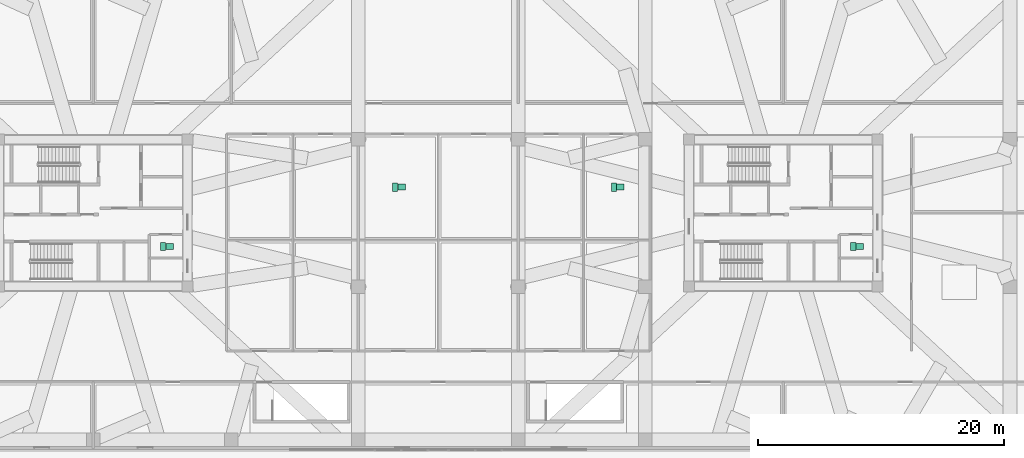
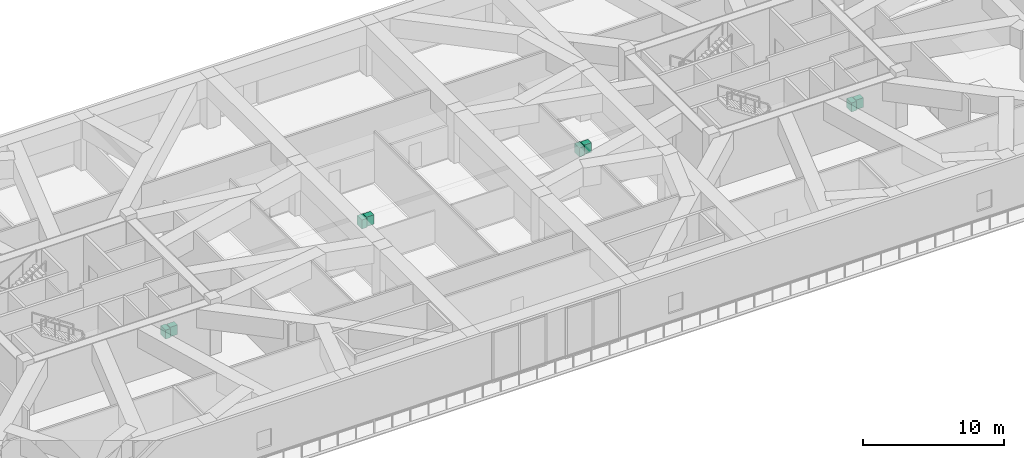
# One storey, part 21 of 21: 8 sanitary terminals.
"""IFC4 building model written with IfcOpenShell, lengths in metres."""

from ifc_helpers import new_model, si_unit, direction, frame, origin, origin_2d, place, context, subcontext, project, spatial, rectangle, extrude, source, transform, mapped, material, type_object, type_shapes, element, save


model = new_model("IFC4")

# Units and contexts
model_context = context("Model", 3, precision=1e-05, world=origin(), true_north=direction((0.0, 1.0)))
body_context = subcontext(model_context, "Body", "Model", "MODEL_VIEW")
ifc_project = project(units=[si_unit("LENGTHUNIT", "METRE"), si_unit("AREAUNIT", "SQUARE_METRE"), si_unit("VOLUMEUNIT", "CUBIC_METRE"), si_unit("PLANEANGLEUNIT", "RADIAN"), si_unit("MASSUNIT", "GRAM", prefix="KILO")], contexts=[model_context])

# Site, building, storey
site_placement = place(None, origin())
site = spatial("IfcSite", under=ifc_project, at=site_placement, CompositionType="ELEMENT")
building_placement = place(site_placement, origin())
building = spatial("IfcBuilding", under=site, at=building_placement, Name="Norrkilde Senior Care Towers", CompositionType="ELEMENT")
storey_placement = place(building_placement, frame((0.0, 0.0, 16.800048828125)))
storey = spatial("IfcBuildingStorey", under=building, at=storey_placement, Name="L04", CompositionType="ELEMENT", Elevation=16.800048828125)

# Sanitary terminals
ifc_material = material(Name="Porcelain Ceramic")
sanitary_terminal_type_1 = type_object("IfcSanitaryTerminalType", Name="Accessible Senior WC Suite", PredefinedType="TOILETPAN", material=ifc_material)
shared_shape_1 = source(origin(), body_context, "Body", "SweptSolid", [
    extrude(rectangle(XDim=0.419921875, YDim=0.679931640625, at=origin_2d()), origin(), (0.0, 0.0, 1.0), 0.780029296875),
])
type_shapes(sanitary_terminal_type_1, [shared_shape_1])
for number, where, z_axis, x_axis, name in (
    (1, (-22.324951171875, -2.715087890625, 0.0), (0.0, 0.0, 1.0), (1.0, 0.0, 0.0), "L04 Accessible WC Pan 0013"),
    (2, (33.675048828125, -2.715087890625, 0.0), (0.0, 0.0, 1.0), (1.0, 0.0, 0.0), "L04 Accessible WC Pan 0014"),
    (3, (-3.5, 2.10009765625, 0.0), (0.0, 0.0, 1.0), (1.0, 0.0, 0.0), "L04 Accessible WC Pan 0015"),
    (4, (14.25, 2.10009765625, 0.0), (0.0, 0.0, 1.0), (1.0, 0.0, 0.0), "L04 Accessible WC Pan 0016"),
):
    element("IfcSanitaryTerminal", number, at=place(storey_placement, frame(where, z_axis=z_axis, x_axis=x_axis)), inside=storey, type_object=sanitary_terminal_type_1, Name=name, PredefinedType="TOILETPAN", context=body_context, shape_type="MappedRepresentation", body=[
        mapped(shared_shape_1, transform((0.0, 0.0, 0.0), x_axis=(1.0, 0.0, 0.0), y_axis=(0.0, 1.0, 0.0), z_axis=(0.0, 0.0, 1.0), scale=1.0)),
    ])
sanitary_terminal_type_2 = type_object("IfcSanitaryTerminalType", Name="Thermostatic Care Washbasin", PredefinedType="WASHHANDBASIN", material=ifc_material)
shared_shape_2 = source(origin(), body_context, "Body", "SweptSolid", [
    extrude(rectangle(XDim=0.60009765625, YDim=0.5, at=origin_2d()), origin(), (0.0, 0.0, 1.0), 0.820068359375),
])
type_shapes(sanitary_terminal_type_2, [shared_shape_2])
for number, where, z_axis, x_axis, name in (
    (5, (-21.794921875, -2.715087890625, 0.0), (0.0, 0.0, 1.0), (1.0, 0.0, 0.0), "L04 Accessible Washbasin 0013"),
    (6, (34.205078125, -2.715087890625, 0.0), (0.0, 0.0, 1.0), (1.0, 0.0, 0.0), "L04 Accessible Washbasin 0014"),
    (7, (-2.969970703125, 2.10009765625, 0.0), (0.0, 0.0, 1.0), (1.0, 0.0, 0.0), "L04 Accessible Washbasin 0015"),
    (8, (14.780029296875, 2.10009765625, 0.0), (0.0, 0.0, 1.0), (1.0, 0.0, 0.0), "L04 Accessible Washbasin 0016"),
):
    element("IfcSanitaryTerminal", number, at=place(storey_placement, frame(where, z_axis=z_axis, x_axis=x_axis)), inside=storey, type_object=sanitary_terminal_type_2, Name=name, PredefinedType="WASHHANDBASIN", context=body_context, shape_type="MappedRepresentation", body=[
        mapped(shared_shape_2, transform((0.0, 0.0, 0.0), x_axis=(1.0, 0.0, 0.0), y_axis=(0.0, 1.0, 0.0), z_axis=(0.0, 0.0, 1.0), scale=1.0)),
    ])

save(model, "model.ifc")
